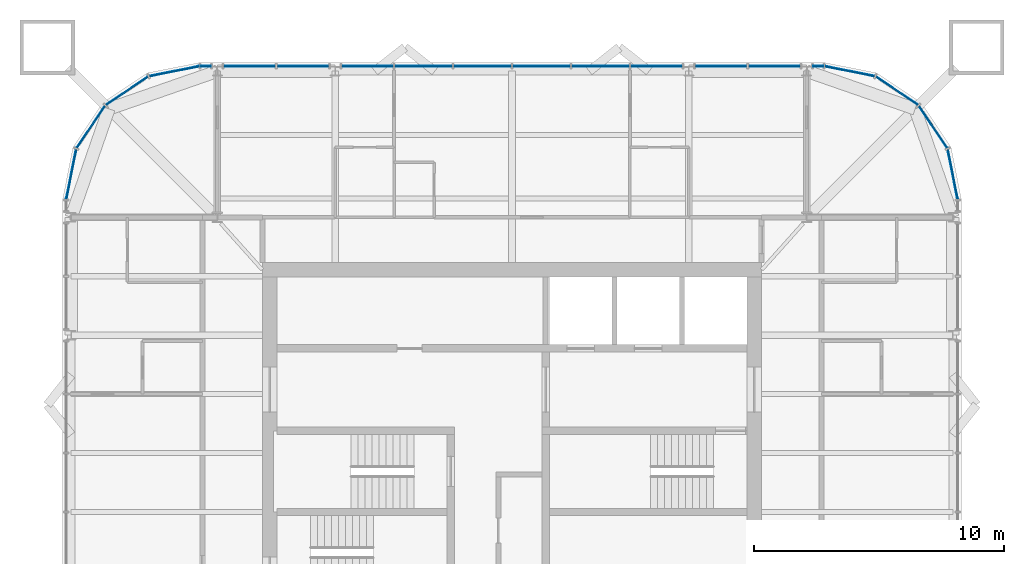
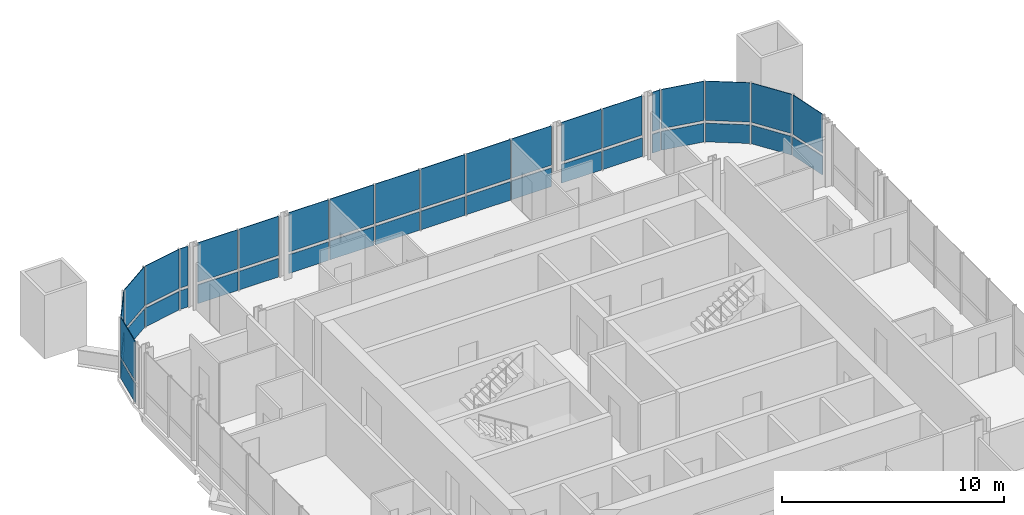
# One storey, part 12 of 17: 40 plates, 7 elements without a shape of their own.
"""IFC4 building model written with IfcOpenShell, lengths in metres."""

from ifc_helpers import new_model, si_unit, direction, frame, origin, origin_2d, place, context, subcontext, project, spatial, rectangle, extrude, material, layer, layer_set, type_object, element, aggregate, save


model = new_model("IFC4")

# Units and contexts
model_context = context("Model", 3, precision=1e-05, world=origin(), true_north=direction((0.0, 1.0)))
body_context = subcontext(model_context, "Body", "Model", "MODEL_VIEW")
ifc_project = project(units=[si_unit("LENGTHUNIT", "METRE"), si_unit("AREAUNIT", "SQUARE_METRE"), si_unit("VOLUMEUNIT", "CUBIC_METRE"), si_unit("PLANEANGLEUNIT", "RADIAN"), si_unit("MASSUNIT", "GRAM", prefix="KILO")], contexts=[model_context])

# Site, building, storey
site_placement = place(None, origin())
site = spatial("IfcSite", under=ifc_project, at=site_placement, CompositionType="ELEMENT")
building_placement = place(site_placement, origin())
building = spatial("IfcBuilding", under=site, at=building_placement, Name="Turquesa Mirador Hotel Tower", CompositionType="ELEMENT")
storey_placement = place(building_placement, frame((0.0, 0.0, 254.699951171875)))
storey = spatial("IfcBuildingStorey", under=building, at=storey_placement, Name="L69", CompositionType="ELEMENT", Elevation=254.699951171875)

# Curtain wall, plates
ifc_material_1 = material(Name="Aluminium extrusion", Category="aluminium")
curtain_wall_type = type_object("IfcCurtainWallType", Name="CW-4 SUITE FRITTED CURTAIN WALL", PredefinedType="USERDEFINED", material=ifc_material_1)
curtain_wall_1_placement = place(storey_placement, origin())
curtain_wall_1 = element("IfcCurtainWall", 1, at=curtain_wall_1_placement, inside=storey, type_object=curtain_wall_type, Name="CW-4 SUITE FRITTED CURTAIN WALL L69", ObjectType="CURTAIN WALL", PredefinedType="USERDEFINED")
ifc_material_2 = material(Name="Ceramic-printed spandrel glass on an insulated back pan", Category="glass")
ifc_layer_1 = layer(ifc_material_2, 0.050048828125)
ifc_layer_set_1 = layer_set([ifc_layer_1], Name="CW PANEL SPANDREL CERAMIC")
plate_type_1 = type_object("IfcPlateType", Name="CW PANEL SPANDREL CERAMIC", PredefinedType="CURTAIN_PANEL", material=ifc_layer_set_1)
plate_1_placement = place(storey_placement, frame((72.646484375, 58.523681640625, 0.0), z_axis=(0.0, 0.0, 1.0), x_axis=(-0.195090585221, 0.980785228048, 0.0)))
plate_1 = element("IfcPlate", 2, at=plate_1_placement, type_object=plate_type_1, Name="Panel", PredefinedType="CURTAIN_PANEL", context=body_context, shape_type="SweptSolid", body=[
    extrude(rectangle(XDim=2.0224609375, YDim=0.050048828125, at=origin_2d()), origin(), (0.0, 0.0, 1.0), 1.02490234375),
])
plate_2_placement = place(storey_placement, frame((71.86279296875, 60.415283203125, 0.0), z_axis=(0.0, 0.0, 1.0), x_axis=(-0.555570141754, 0.831469673284, 0.0)))
plate_2 = element("IfcPlate", 3, at=plate_2_placement, type_object=plate_type_1, Name="Panel", PredefinedType="CURTAIN_PANEL", context=body_context, shape_type="SweptSolid", body=[
    extrude(rectangle(XDim=2.0224609375, YDim=0.050048828125, at=origin_2d()), origin(), (0.0, 0.0, 1.0), 1.02490234375),
])
plate_3_placement = place(storey_placement, frame((70.415283203125, 61.86279296875, 0.0), z_axis=(0.0, 0.0, 1.0), x_axis=(-0.831469673284, 0.555570141754, 0.0)))
plate_3 = element("IfcPlate", 4, at=plate_3_placement, type_object=plate_type_1, Name="Panel", PredefinedType="CURTAIN_PANEL", context=body_context, shape_type="SweptSolid", body=[
    extrude(rectangle(XDim=2.0224609375, YDim=0.050048828125, at=origin_2d()), origin(), (0.0, 0.0, 1.0), 1.02490234375),
])
plate_4_placement = place(storey_placement, frame((68.523681640625, 62.646484375, 0.0), z_axis=(0.0, 0.0, 1.0), x_axis=(-0.980785228048, 0.195090585221, 0.0)))
plate_4 = element("IfcPlate", 5, at=plate_4_placement, type_object=plate_type_1, Name="Panel", PredefinedType="CURTAIN_PANEL", context=body_context, shape_type="SweptSolid", body=[
    extrude(rectangle(XDim=2.0224609375, YDim=0.050048828125, at=origin_2d()), origin(), (0.0, 0.0, 1.0), 1.02490234375),
])

# Curtain wall, plate
curtain_wall_2_placement = place(storey_placement, origin())
curtain_wall_2 = element("IfcCurtainWall", 6, at=curtain_wall_2_placement, inside=storey, type_object=curtain_wall_type, Name="CW-4 SUITE FRITTED CURTAIN WALL L69", ObjectType="CURTAIN WALL", PredefinedType="USERDEFINED")
plate_5_placement = place(storey_placement, frame((67.266845703125, 62.85009765625, 0.0), z_axis=(0.0, 0.0, 1.0), x_axis=(-1.0, 0.0, 0.0)))
plate_5 = element("IfcPlate", 7, at=plate_5_placement, type_object=plate_type_1, Name="Panel", PredefinedType="CURTAIN_PANEL", context=body_context, shape_type="SweptSolid", body=[
    extrude(rectangle(XDim=0.401123046875, YDim=0.050048828125, at=origin_2d()), origin(), (0.0, 0.0, 1.0), 1.02490234375),
])

# Curtain wall, plates
curtain_wall_3_placement = place(storey_placement, origin())
curtain_wall_3 = element("IfcCurtainWall", 8, at=curtain_wall_3_placement, inside=storey, type_object=curtain_wall_type, Name="CW-4 SUITE FRITTED CURTAIN WALL L69", ObjectType="CURTAIN WALL", PredefinedType="USERDEFINED")
plate_6_placement = place(storey_placement, frame((65.503173828125, 62.85009765625, 0.0), z_axis=(0.0, 0.0, 1.0), x_axis=(-1.0, 0.0, 0.0)))
plate_6 = element("IfcPlate", 9, at=plate_6_placement, type_object=plate_type_1, Name="Panel", PredefinedType="CURTAIN_PANEL", context=body_context, shape_type="SweptSolid", body=[
    extrude(rectangle(XDim=2.06103515625, YDim=0.050048828125, at=origin_2d()), origin(), (0.0, 0.0, 1.0), 1.02490234375),
])
plate_7_placement = place(storey_placement, frame((63.376953125, 62.85009765625, 0.0), z_axis=(0.0, 0.0, 1.0), x_axis=(-1.0, 0.0, 0.0)))
plate_7 = element("IfcPlate", 10, at=plate_7_placement, type_object=plate_type_1, Name="Panel", PredefinedType="CURTAIN_PANEL", context=body_context, shape_type="SweptSolid", body=[
    extrude(rectangle(XDim=2.06103515625, YDim=0.050048828125, at=origin_2d()), origin(), (0.0, 0.0, 1.0), 1.02490234375),
])

curtain_wall_4_placement = place(storey_placement, origin())
curtain_wall_4 = element("IfcCurtainWall", 11, at=curtain_wall_4_placement, inside=storey, type_object=curtain_wall_type, Name="CW-4 SUITE FRITTED CURTAIN WALL L69", ObjectType="CURTAIN WALL", PredefinedType="USERDEFINED")
plate_8_placement = place(storey_placement, frame((60.782958984375, 62.85009765625, 0.0), z_axis=(0.0, 0.0, 1.0), x_axis=(-1.0, 0.0, 0.0)))
plate_8 = element("IfcPlate", 12, at=plate_8_placement, type_object=plate_type_1, Name="Panel", PredefinedType="CURTAIN_PANEL", context=body_context, shape_type="SweptSolid", body=[
    extrude(rectangle(XDim=2.06103515625, YDim=0.050048828125, at=origin_2d()), origin(), (0.0, 0.0, 1.0), 1.02490234375),
])
plate_9_placement = place(storey_placement, frame((58.5400390625, 62.85009765625, 0.0), z_axis=(0.0, 0.0, 1.0), x_axis=(-1.0, 0.0, 0.0)))
plate_9 = element("IfcPlate", 13, at=plate_9_placement, type_object=plate_type_1, Name="Panel", PredefinedType="CURTAIN_PANEL", context=body_context, shape_type="SweptSolid", body=[
    extrude(rectangle(XDim=2.294921875, YDim=0.050048828125, at=origin_2d()), origin(), (0.0, 0.0, 1.0), 1.02490234375),
])
plate_10_placement = place(storey_placement, frame((56.179931640625, 62.85009765625, 0.0), z_axis=(0.0, 0.0, 1.0), x_axis=(-1.0, 0.0, 0.0)))
plate_10 = element("IfcPlate", 14, at=plate_10_placement, type_object=plate_type_1, Name="Panel", PredefinedType="CURTAIN_PANEL", context=body_context, shape_type="SweptSolid", body=[
    extrude(rectangle(XDim=2.294921875, YDim=0.050048828125, at=origin_2d()), origin(), (0.0, 0.0, 1.0), 1.02490234375),
])
plate_11_placement = place(storey_placement, frame((53.820068359375, 62.85009765625, 0.0), z_axis=(0.0, 0.0, 1.0), x_axis=(-1.0, 0.0, 0.0)))
plate_11 = element("IfcPlate", 15, at=plate_11_placement, type_object=plate_type_1, Name="Panel", PredefinedType="CURTAIN_PANEL", context=body_context, shape_type="SweptSolid", body=[
    extrude(rectangle(XDim=2.294921875, YDim=0.050048828125, at=origin_2d()), origin(), (0.0, 0.0, 1.0), 1.02490234375),
])
plate_12_placement = place(storey_placement, frame((51.4599609375, 62.85009765625, 0.0), z_axis=(0.0, 0.0, 1.0), x_axis=(-1.0, 0.0, 0.0)))
plate_12 = element("IfcPlate", 16, at=plate_12_placement, type_object=plate_type_1, Name="Panel", PredefinedType="CURTAIN_PANEL", context=body_context, shape_type="SweptSolid", body=[
    extrude(rectangle(XDim=2.294921875, YDim=0.050048828125, at=origin_2d()), origin(), (0.0, 0.0, 1.0), 1.02490234375),
])
plate_13_placement = place(storey_placement, frame((49.217041015625, 62.85009765625, 0.0), z_axis=(0.0, 0.0, 1.0), x_axis=(-1.0, 0.0, 0.0)))
plate_13 = element("IfcPlate", 17, at=plate_13_placement, type_object=plate_type_1, Name="Panel", PredefinedType="CURTAIN_PANEL", context=body_context, shape_type="SweptSolid", body=[
    extrude(rectangle(XDim=2.06103515625, YDim=0.050048828125, at=origin_2d()), origin(), (0.0, 0.0, 1.0), 1.02490234375),
])

curtain_wall_5_placement = place(storey_placement, origin())
curtain_wall_5 = element("IfcCurtainWall", 18, at=curtain_wall_5_placement, inside=storey, type_object=curtain_wall_type, Name="CW-4 SUITE FRITTED CURTAIN WALL L69", ObjectType="CURTAIN WALL", PredefinedType="USERDEFINED")
plate_14_placement = place(storey_placement, frame((46.623046875, 62.85009765625, 0.0), z_axis=(0.0, 0.0, 1.0), x_axis=(-1.0, 0.0, 0.0)))
plate_14 = element("IfcPlate", 19, at=plate_14_placement, type_object=plate_type_1, Name="Panel", PredefinedType="CURTAIN_PANEL", context=body_context, shape_type="SweptSolid", body=[
    extrude(rectangle(XDim=2.06103515625, YDim=0.050048828125, at=origin_2d()), origin(), (0.0, 0.0, 1.0), 1.02490234375),
])
plate_15_placement = place(storey_placement, frame((44.496826171875, 62.85009765625, 0.0), z_axis=(0.0, 0.0, 1.0), x_axis=(-1.0, 0.0, 0.0)))
plate_15 = element("IfcPlate", 20, at=plate_15_placement, type_object=plate_type_1, Name="Panel", PredefinedType="CURTAIN_PANEL", context=body_context, shape_type="SweptSolid", body=[
    extrude(rectangle(XDim=2.06103515625, YDim=0.050048828125, at=origin_2d()), origin(), (0.0, 0.0, 1.0), 1.02490234375),
])

# Curtain wall, plate
curtain_wall_6_placement = place(storey_placement, origin())
curtain_wall_6 = element("IfcCurtainWall", 21, at=curtain_wall_6_placement, inside=storey, type_object=curtain_wall_type, Name="CW-4 SUITE FRITTED CURTAIN WALL L69", ObjectType="CURTAIN WALL", PredefinedType="USERDEFINED")
plate_16_placement = place(storey_placement, frame((42.733154296875, 62.85009765625, 0.0), z_axis=(0.0, 0.0, 1.0), x_axis=(-1.0, 0.0, 0.0)))
plate_16 = element("IfcPlate", 22, at=plate_16_placement, type_object=plate_type_1, Name="Panel", PredefinedType="CURTAIN_PANEL", context=body_context, shape_type="SweptSolid", body=[
    extrude(rectangle(XDim=0.401123046875, YDim=0.050048828125, at=origin_2d()), origin(), (0.0, 0.0, 1.0), 1.02490234375),
])

# Curtain wall, plates
curtain_wall_7_placement = place(storey_placement, origin())
curtain_wall_7 = element("IfcCurtainWall", 23, at=curtain_wall_7_placement, inside=storey, type_object=curtain_wall_type, Name="CW-4 SUITE FRITTED CURTAIN WALL L69", ObjectType="CURTAIN WALL", PredefinedType="USERDEFINED")
plate_17_placement = place(storey_placement, frame((41.476318359375, 62.646484375, 0.0), z_axis=(0.0, 0.0, 1.0), x_axis=(-0.980785228048, -0.195090585221, 0.0)))
plate_17 = element("IfcPlate", 24, at=plate_17_placement, type_object=plate_type_1, Name="Panel", PredefinedType="CURTAIN_PANEL", context=body_context, shape_type="SweptSolid", body=[
    extrude(rectangle(XDim=2.0224609375, YDim=0.050048828125, at=origin_2d()), origin(), (0.0, 0.0, 1.0), 1.02490234375),
])
plate_18_placement = place(storey_placement, frame((39.584716796875, 61.86279296875, 0.0), z_axis=(0.0, 0.0, 1.0), x_axis=(-0.831469673284, -0.555570141754, 0.0)))
plate_18 = element("IfcPlate", 25, at=plate_18_placement, type_object=plate_type_1, Name="Panel", PredefinedType="CURTAIN_PANEL", context=body_context, shape_type="SweptSolid", body=[
    extrude(rectangle(XDim=2.0224609375, YDim=0.050048828125, at=origin_2d()), origin(), (0.0, 0.0, 1.0), 1.02490234375),
])
plate_19_placement = place(storey_placement, frame((38.13720703125, 60.415283203125, 0.0), z_axis=(0.0, 0.0, 1.0), x_axis=(-0.555570141754, -0.831469673284, 0.0)))
plate_19 = element("IfcPlate", 26, at=plate_19_placement, type_object=plate_type_1, Name="Panel", PredefinedType="CURTAIN_PANEL", context=body_context, shape_type="SweptSolid", body=[
    extrude(rectangle(XDim=2.0224609375, YDim=0.050048828125, at=origin_2d()), origin(), (0.0, 0.0, 1.0), 1.02490234375),
])
plate_20_placement = place(storey_placement, frame((37.353515625, 58.523681640625, 0.0), z_axis=(0.0, 0.0, 1.0), x_axis=(-0.195090585221, -0.980785228048, 0.0)))
plate_20 = element("IfcPlate", 27, at=plate_20_placement, type_object=plate_type_1, Name="Panel", PredefinedType="CURTAIN_PANEL", context=body_context, shape_type="SweptSolid", body=[
    extrude(rectangle(XDim=2.0224609375, YDim=0.050048828125, at=origin_2d()), origin(), (0.0, 0.0, 1.0), 1.02490234375),
])

# Plate
ifc_material_3 = material(Name="Ceramic-fritted laminated glass", Category="glass")
ifc_layer_2 = layer(ifc_material_3, 0.031982421875)
ifc_layer_set_2 = layer_set([ifc_layer_2], Name="CW PANEL VISION FRITTED")
plate_type_2 = type_object("IfcPlateType", Name="CW PANEL VISION FRITTED", PredefinedType="CURTAIN_PANEL", material=ifc_layer_set_2)
plate_21_placement = place(storey_placement, frame((72.646484375, 58.523681640625, 1.1748046875), z_axis=(0.0, 0.0, 1.0), x_axis=(-0.195090585221, 0.980785228048, 0.0)))
plate_21 = element("IfcPlate", 28, at=plate_21_placement, type_object=plate_type_2, Name="Panel", PredefinedType="CURTAIN_PANEL", context=body_context, shape_type="SweptSolid", body=[
    extrude(rectangle(XDim=2.0224609375, YDim=0.031982421875, at=origin_2d()), origin(), (0.0, 0.0, 1.0), 2.155029296875),
])

plate_22_placement = place(storey_placement, frame((71.86279296875, 60.415283203125, 1.1748046875), z_axis=(0.0, 0.0, 1.0), x_axis=(-0.555570141754, 0.831469673284, 0.0)))
plate_22 = element("IfcPlate", 29, at=plate_22_placement, type_object=plate_type_2, Name="Panel", PredefinedType="CURTAIN_PANEL", context=body_context, shape_type="SweptSolid", body=[
    extrude(rectangle(XDim=2.0224609375, YDim=0.031982421875, at=origin_2d()), origin(), (0.0, 0.0, 1.0), 2.155029296875),
])

plate_23_placement = place(storey_placement, frame((70.415283203125, 61.86279296875, 1.1748046875), z_axis=(0.0, 0.0, 1.0), x_axis=(-0.831469673284, 0.555570141754, 0.0)))
plate_23 = element("IfcPlate", 30, at=plate_23_placement, type_object=plate_type_2, Name="Panel", PredefinedType="CURTAIN_PANEL", context=body_context, shape_type="SweptSolid", body=[
    extrude(rectangle(XDim=2.0224609375, YDim=0.031982421875, at=origin_2d()), origin(), (0.0, 0.0, 1.0), 2.155029296875),
])

plate_24_placement = place(storey_placement, frame((68.523681640625, 62.646484375, 1.1748046875), z_axis=(0.0, 0.0, 1.0), x_axis=(-0.980785228048, 0.195090585221, 0.0)))
plate_24 = element("IfcPlate", 31, at=plate_24_placement, type_object=plate_type_2, Name="Panel", PredefinedType="CURTAIN_PANEL", context=body_context, shape_type="SweptSolid", body=[
    extrude(rectangle(XDim=2.0224609375, YDim=0.031982421875, at=origin_2d()), origin(), (0.0, 0.0, 1.0), 2.155029296875),
])

aggregate(curtain_wall_1, [plate_1, plate_21, plate_2, plate_22, plate_3, plate_23, plate_4, plate_24])

plate_25_placement = place(storey_placement, frame((67.266845703125, 62.85009765625, 1.1748046875), z_axis=(0.0, 0.0, 1.0), x_axis=(-1.0, 0.0, 0.0)))
plate_25 = element("IfcPlate", 32, at=plate_25_placement, type_object=plate_type_2, Name="Panel", PredefinedType="CURTAIN_PANEL", context=body_context, shape_type="SweptSolid", body=[
    extrude(rectangle(XDim=0.401123046875, YDim=0.031982421875, at=origin_2d()), origin(), (0.0, 0.0, 1.0), 2.155029296875),
])

aggregate(curtain_wall_2, [plate_5, plate_25])

plate_26_placement = place(storey_placement, frame((65.503173828125, 62.85009765625, 1.1748046875), z_axis=(0.0, 0.0, 1.0), x_axis=(-1.0, 0.0, 0.0)))
plate_26 = element("IfcPlate", 33, at=plate_26_placement, type_object=plate_type_2, Name="Panel", PredefinedType="CURTAIN_PANEL", context=body_context, shape_type="SweptSolid", body=[
    extrude(rectangle(XDim=2.06103515625, YDim=0.031982421875, at=origin_2d()), origin(), (0.0, 0.0, 1.0), 2.155029296875),
])

plate_27_placement = place(storey_placement, frame((63.376953125, 62.85009765625, 1.1748046875), z_axis=(0.0, 0.0, 1.0), x_axis=(-1.0, 0.0, 0.0)))
plate_27 = element("IfcPlate", 34, at=plate_27_placement, type_object=plate_type_2, Name="Panel", PredefinedType="CURTAIN_PANEL", context=body_context, shape_type="SweptSolid", body=[
    extrude(rectangle(XDim=2.06103515625, YDim=0.031982421875, at=origin_2d()), origin(), (0.0, 0.0, 1.0), 2.155029296875),
])

aggregate(curtain_wall_3, [plate_6, plate_26, plate_7, plate_27])

plate_28_placement = place(storey_placement, frame((60.782958984375, 62.85009765625, 1.1748046875), z_axis=(0.0, 0.0, 1.0), x_axis=(-1.0, 0.0, 0.0)))
plate_28 = element("IfcPlate", 35, at=plate_28_placement, type_object=plate_type_2, Name="Panel", PredefinedType="CURTAIN_PANEL", context=body_context, shape_type="SweptSolid", body=[
    extrude(rectangle(XDim=2.06103515625, YDim=0.031982421875, at=origin_2d()), origin(), (0.0, 0.0, 1.0), 2.155029296875),
])

plate_29_placement = place(storey_placement, frame((58.5400390625, 62.85009765625, 1.1748046875), z_axis=(0.0, 0.0, 1.0), x_axis=(-1.0, 0.0, 0.0)))
plate_29 = element("IfcPlate", 36, at=plate_29_placement, type_object=plate_type_2, Name="Panel", PredefinedType="CURTAIN_PANEL", context=body_context, shape_type="SweptSolid", body=[
    extrude(rectangle(XDim=2.294921875, YDim=0.031982421875, at=origin_2d()), origin(), (0.0, 0.0, 1.0), 2.155029296875),
])

plate_30_placement = place(storey_placement, frame((56.179931640625, 62.85009765625, 1.1748046875), z_axis=(0.0, 0.0, 1.0), x_axis=(-1.0, 0.0, 0.0)))
plate_30 = element("IfcPlate", 37, at=plate_30_placement, type_object=plate_type_2, Name="Panel", PredefinedType="CURTAIN_PANEL", context=body_context, shape_type="SweptSolid", body=[
    extrude(rectangle(XDim=2.294921875, YDim=0.031982421875, at=origin_2d()), origin(), (0.0, 0.0, 1.0), 2.155029296875),
])

plate_31_placement = place(storey_placement, frame((53.820068359375, 62.85009765625, 1.1748046875), z_axis=(0.0, 0.0, 1.0), x_axis=(-1.0, 0.0, 0.0)))
plate_31 = element("IfcPlate", 38, at=plate_31_placement, type_object=plate_type_2, Name="Panel", PredefinedType="CURTAIN_PANEL", context=body_context, shape_type="SweptSolid", body=[
    extrude(rectangle(XDim=2.294921875, YDim=0.031982421875, at=origin_2d()), origin(), (0.0, 0.0, 1.0), 2.155029296875),
])

plate_32_placement = place(storey_placement, frame((51.4599609375, 62.85009765625, 1.1748046875), z_axis=(0.0, 0.0, 1.0), x_axis=(-1.0, 0.0, 0.0)))
plate_32 = element("IfcPlate", 39, at=plate_32_placement, type_object=plate_type_2, Name="Panel", PredefinedType="CURTAIN_PANEL", context=body_context, shape_type="SweptSolid", body=[
    extrude(rectangle(XDim=2.294921875, YDim=0.031982421875, at=origin_2d()), origin(), (0.0, 0.0, 1.0), 2.155029296875),
])

plate_33_placement = place(storey_placement, frame((49.217041015625, 62.85009765625, 1.1748046875), z_axis=(0.0, 0.0, 1.0), x_axis=(-1.0, 0.0, 0.0)))
plate_33 = element("IfcPlate", 40, at=plate_33_placement, type_object=plate_type_2, Name="Panel", PredefinedType="CURTAIN_PANEL", context=body_context, shape_type="SweptSolid", body=[
    extrude(rectangle(XDim=2.06103515625, YDim=0.031982421875, at=origin_2d()), origin(), (0.0, 0.0, 1.0), 2.155029296875),
])

aggregate(curtain_wall_4, [plate_8, plate_28, plate_9, plate_29, plate_10, plate_30, plate_11, plate_31, plate_12, plate_32, plate_13, plate_33])

plate_34_placement = place(storey_placement, frame((46.623046875, 62.85009765625, 1.1748046875), z_axis=(0.0, 0.0, 1.0), x_axis=(-1.0, 0.0, 0.0)))
plate_34 = element("IfcPlate", 41, at=plate_34_placement, type_object=plate_type_2, Name="Panel", PredefinedType="CURTAIN_PANEL", context=body_context, shape_type="SweptSolid", body=[
    extrude(rectangle(XDim=2.06103515625, YDim=0.031982421875, at=origin_2d()), origin(), (0.0, 0.0, 1.0), 2.155029296875),
])

plate_35_placement = place(storey_placement, frame((44.496826171875, 62.85009765625, 1.1748046875), z_axis=(0.0, 0.0, 1.0), x_axis=(-1.0, 0.0, 0.0)))
plate_35 = element("IfcPlate", 42, at=plate_35_placement, type_object=plate_type_2, Name="Panel", PredefinedType="CURTAIN_PANEL", context=body_context, shape_type="SweptSolid", body=[
    extrude(rectangle(XDim=2.06103515625, YDim=0.031982421875, at=origin_2d()), origin(), (0.0, 0.0, 1.0), 2.155029296875),
])

aggregate(curtain_wall_5, [plate_14, plate_34, plate_15, plate_35])

plate_36_placement = place(storey_placement, frame((42.733154296875, 62.85009765625, 1.1748046875), z_axis=(0.0, 0.0, 1.0), x_axis=(-1.0, 0.0, 0.0)))
plate_36 = element("IfcPlate", 43, at=plate_36_placement, type_object=plate_type_2, Name="Panel", PredefinedType="CURTAIN_PANEL", context=body_context, shape_type="SweptSolid", body=[
    extrude(rectangle(XDim=0.401123046875, YDim=0.031982421875, at=origin_2d()), origin(), (0.0, 0.0, 1.0), 2.155029296875),
])

aggregate(curtain_wall_6, [plate_16, plate_36])

plate_37_placement = place(storey_placement, frame((41.476318359375, 62.646484375, 1.1748046875), z_axis=(0.0, 0.0, 1.0), x_axis=(-0.980785228048, -0.195090585221, 0.0)))
plate_37 = element("IfcPlate", 44, at=plate_37_placement, type_object=plate_type_2, Name="Panel", PredefinedType="CURTAIN_PANEL", context=body_context, shape_type="SweptSolid", body=[
    extrude(rectangle(XDim=2.0224609375, YDim=0.031982421875, at=origin_2d()), origin(), (0.0, 0.0, 1.0), 2.155029296875),
])

plate_38_placement = place(storey_placement, frame((39.584716796875, 61.86279296875, 1.1748046875), z_axis=(0.0, 0.0, 1.0), x_axis=(-0.831469673284, -0.555570141754, 0.0)))
plate_38 = element("IfcPlate", 45, at=plate_38_placement, type_object=plate_type_2, Name="Panel", PredefinedType="CURTAIN_PANEL", context=body_context, shape_type="SweptSolid", body=[
    extrude(rectangle(XDim=2.0224609375, YDim=0.031982421875, at=origin_2d()), origin(), (0.0, 0.0, 1.0), 2.155029296875),
])

plate_39_placement = place(storey_placement, frame((38.13720703125, 60.415283203125, 1.1748046875), z_axis=(0.0, 0.0, 1.0), x_axis=(-0.555570141754, -0.831469673284, 0.0)))
plate_39 = element("IfcPlate", 46, at=plate_39_placement, type_object=plate_type_2, Name="Panel", PredefinedType="CURTAIN_PANEL", context=body_context, shape_type="SweptSolid", body=[
    extrude(rectangle(XDim=2.0224609375, YDim=0.031982421875, at=origin_2d()), origin(), (0.0, 0.0, 1.0), 2.155029296875),
])

plate_40_placement = place(storey_placement, frame((37.353515625, 58.523681640625, 1.1748046875), z_axis=(0.0, 0.0, 1.0), x_axis=(-0.195090585221, -0.980785228048, 0.0)))
plate_40 = element("IfcPlate", 47, at=plate_40_placement, type_object=plate_type_2, Name="Panel", PredefinedType="CURTAIN_PANEL", context=body_context, shape_type="SweptSolid", body=[
    extrude(rectangle(XDim=2.0224609375, YDim=0.031982421875, at=origin_2d()), origin(), (0.0, 0.0, 1.0), 2.155029296875),
])

aggregate(curtain_wall_7, [plate_17, plate_37, plate_18, plate_38, plate_19, plate_39, plate_20, plate_40])

save(model, "model.ifc")
